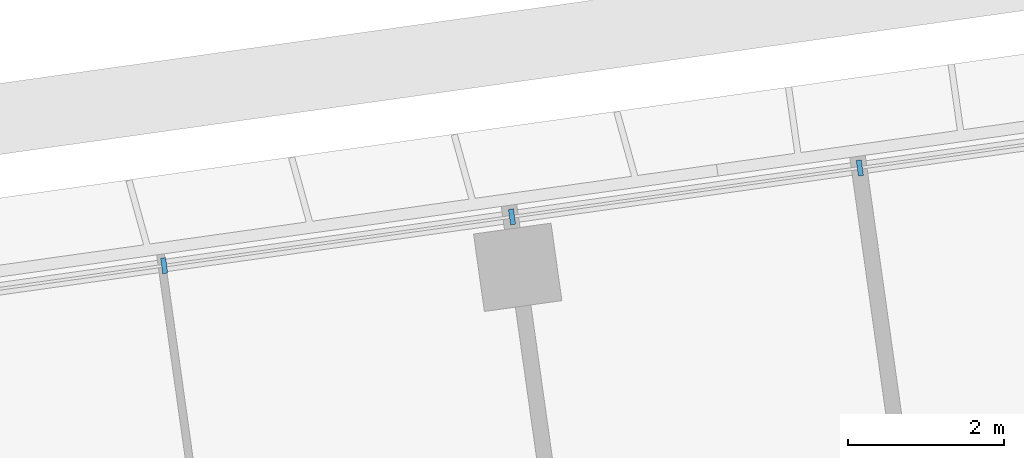
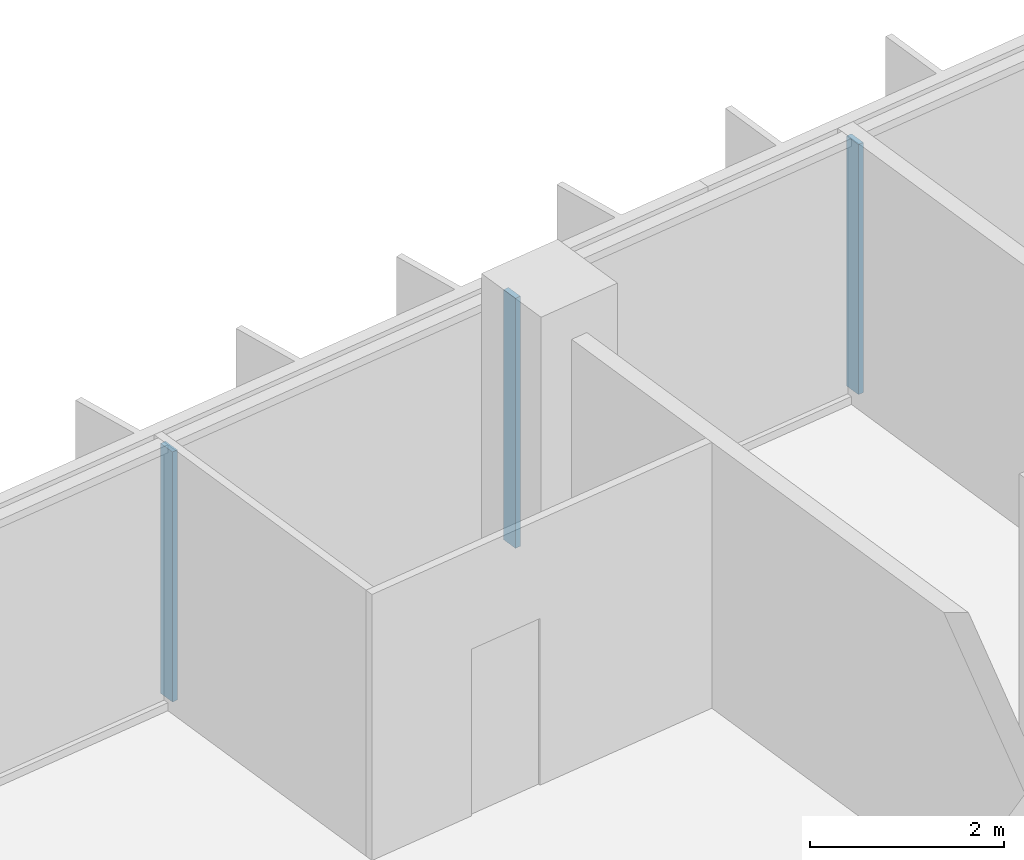
# One storey, part 27 of 49: 3 members, 1 element without a shape of its own.
"""IFC4 building model written with IfcOpenShell, lengths in metres."""

import ifcopenshell
import ifcopenshell.guid

model = None  # the IFC model being written
_history = None  # IfcOwnerHistory: only IFC2X3 demands one
_inside = {}  # id of a spatial element -> (the spatial element, [elements in it])
_under = {}  # id of a project, library or spatial element -> (it, [spatial elements below it])
_declared = {}  # id of a project -> (the project, [libraries it declares])
_typed = {}  # id of a type object -> (the type object, [elements of that type])
_made_of = {}  # id of a material, layer set ... -> (it, [elements and type objects made of it])


def new_model(schema):
    """Start an empty IFC model of exactly this schema.

    Asked for "IFC4X3", IfcOpenShell would pick the latest addendum, in which some entities
    have other attributes; the version numbers below select the first issue.
    IFC2X3 requires an IfcOwnerHistory on every rooted entity: one is made here for all.
    """
    global model, _history
    if schema == "IFC4X3":
        model = ifcopenshell.file(schema_version=(4, 3, 0, 0))
    else:
        model = ifcopenshell.file(schema=schema)
    _inside.clear()
    _under.clear()
    _declared.clear()
    _typed.clear()
    _made_of.clear()
    _history = None
    if model.schema == "IFC2X3":
        org = make("IfcOrganization", Name="unknown")
        user = make(
            "IfcPersonAndOrganization",
            ThePerson=make("IfcPerson", FamilyName="unknown"),
            TheOrganization=org,
        )
        app = make(
            "IfcApplication",
            ApplicationDeveloper=org,
            Version="unknown",
            ApplicationFullName="unknown",
            ApplicationIdentifier="unknown",
        )
        _history = make(
            "IfcOwnerHistory",
            OwningUser=user,
            OwningApplication=app,
            ChangeAction="ADDED",
            CreationDate=0,
        )
    return model


def make(cls, **values):
    """One entity of the class cls with the attributes given. An attribute that is None is left unset."""
    return model.create_entity(
        cls, **{name: value for name, value in values.items() if value is not None}
    )


def rooted(cls, **values):
    """An entity with a GlobalId (a new one), such as an element, a storey or a relation."""
    return make(cls, GlobalId=ifcopenshell.guid.new(), OwnerHistory=_history, **values)


def si_unit(unit_type, name, prefix=None):
    """IfcSIUnit, for example si_unit("LENGTHUNIT", "METRE", prefix="MILLI")."""
    return make("IfcSIUnit", UnitType=unit_type, Prefix=prefix, Name=name)


def assignment(units):
    """IfcUnitAssignment: the units of a project."""
    return None if units is None else make("IfcUnitAssignment", Units=units)


def point(xyz):
    """IfcCartesianPoint."""
    return None if xyz is None else make("IfcCartesianPoint", Coordinates=xyz)


def direction(xyz):
    """IfcDirection."""
    return None if xyz is None else make("IfcDirection", DirectionRatios=xyz)


def frame(location, z_axis=None, x_axis=None):
    """IfcAxis2Placement3D, a coordinate frame: its origin and axes. An axis left out is left unset."""
    return make(
        "IfcAxis2Placement3D",
        Location=point(location),
        Axis=direction(z_axis),
        RefDirection=direction(x_axis),
    )


def frame_2d(location, x_axis=None):
    """IfcAxis2Placement2D, a coordinate frame in the plane: its origin and x axis."""
    return make(
        "IfcAxis2Placement2D", Location=point(location), RefDirection=direction(x_axis)
    )


def origin():
    """The frame at (0, 0, 0) with its axes left unset."""
    return frame((0.0, 0.0, 0.0))


def origin_2d():
    """The frame at (0, 0) in the plane with its x axis left unset."""
    return frame_2d((0.0, 0.0))


def place(relative_to, where):
    """IfcLocalPlacement: puts the frame where relative to a parent placement (None: the world)."""
    return make(
        "IfcLocalPlacement", PlacementRelTo=relative_to, RelativePlacement=where
    )


def context(
    kind, dimensions, precision=None, world=None, true_north=None, identifier=None
):
    """IfcGeometricRepresentationContext, for example the 3D "Model" context."""
    return make(
        "IfcGeometricRepresentationContext",
        ContextIdentifier=identifier,
        ContextType=kind,
        CoordinateSpaceDimension=dimensions,
        Precision=precision,
        WorldCoordinateSystem=world,
        TrueNorth=true_north,
    )


def subcontext(parent, identifier, kind, view, scale=None):
    """IfcGeometricRepresentationSubContext, for example "Body" below "Model"."""
    return make(
        "IfcGeometricRepresentationSubContext",
        ContextIdentifier=identifier,
        ContextType=kind,
        ParentContext=parent,
        TargetScale=scale,
        TargetView=view,
    )


def project(units=None, contexts=None):
    """IfcProject with its units and contexts."""
    return rooted(
        "IfcProject",
        Name="project",
        RepresentationContexts=contexts,
        UnitsInContext=assignment(units),
    )


def spatial(cls, under=None, at=None, **own):
    """A site, building, storey or space (cls), placed at a placement, below another one or the project."""
    s = rooted(cls, ObjectPlacement=at, **own)
    if under is not None:
        _under.setdefault(under.id(), (under, []))[1].append(s)
    return s


def profile(cls, at=None, kind="AREA", **sizes):
    """A parametric profile (cls). Its sizes go by their IFC names, for example OverallWidth=200.0."""
    return make(cls, ProfileType=kind, Position=at, **sizes)


def rectangle(**sizes):
    """IfcRectangleProfileDef."""
    return profile("IfcRectangleProfileDef", **sizes)


def extrude(swept, where, along, depth):
    """IfcExtrudedAreaSolid: the profile swept, set in the frame where, extruded along a direction by depth."""
    return make(
        "IfcExtrudedAreaSolid",
        SweptArea=swept,
        Position=where,
        ExtrudedDirection=direction(along),
        Depth=depth,
    )


def shape(context_of_items, identifier, shape_type, items):
    """IfcShapeRepresentation: the items that make up one representation, for example the "Body"."""
    return make(
        "IfcShapeRepresentation",
        ContextOfItems=context_of_items,
        RepresentationIdentifier=identifier,
        RepresentationType=shape_type,
        Items=items,
    )


def material(Name=None, Category=None):
    """IfcMaterial."""
    return make("IfcMaterial", Name=Name, Category=Category)


def material_profile(
    of_material, cross_section, Name=None, Category=None, Priority=None
):
    """IfcMaterialProfile: a cross section and its material."""
    return make(
        "IfcMaterialProfile",
        Name=Name,
        Material=of_material,
        Profile=cross_section,
        Priority=Priority,
        Category=Category,
    )


def profile_set(profiles, Name=None, composite=None):
    """IfcMaterialProfileSet."""
    return make(
        "IfcMaterialProfileSet",
        Name=Name,
        MaterialProfiles=profiles,
        CompositeProfile=composite,
    )


def made_of(thing, what):
    """Note that an element or type object is made of a material, layer set ...; save() writes the relation."""
    if what is not None:
        _made_of.setdefault(what.id(), (what, []))[1].append(thing)
    return thing


def type_object(cls, material=None, **own):
    """A type object (cls), such as IfcWallType, which elements share."""
    return made_of(rooted(cls, **own), material)


def element(
    cls,
    number,
    at=None,
    inside=None,
    cuts=None,
    type_object=None,
    material=None,
    context=None,
    identifier="Body",
    shape_type=None,
    held_by="IfcProductDefinitionShape",
    body=None,
    shapes=None,
    **own,
):
    """One element of the class cls, such as IfcWall. Its Tag is "e" and its number.

    at: its placement. inside: the storey or other place that contains it. cuts: it is an
    opening in that element (IfcRelVoidsElement). A single representation is given by context,
    identifier, shape_type and body (its items); several are given by shapes. held_by: the class
    of the entity that holds the representations. save() writes the other relations.
    """
    e = rooted(cls, Tag="e%d" % number, ObjectPlacement=at, **own)
    if body is not None:
        shapes = [shape(context, identifier, shape_type, body)]
    if shapes is not None:
        e.Representation = make(held_by, Representations=shapes)
    if inside is not None:
        _inside.setdefault(inside.id(), (inside, []))[1].append(e)
    if cuts is not None:
        rooted(
            "IfcRelVoidsElement", RelatingBuildingElement=cuts, RelatedOpeningElement=e
        )
    if type_object is not None:
        _typed.setdefault(type_object.id(), (type_object, []))[1].append(e)
    return made_of(e, material)


def aggregate(whole, parts):
    """IfcRelAggregates: a whole, such as a stair, and the parts it consists of."""
    return rooted("IfcRelAggregates", RelatingObject=whole, RelatedObjects=parts)


def save(model, path):
    """Write the relations noted so far, then the file.

    IfcRelAggregates (storeys below a building ...), IfcRelContainedInSpatialStructure (elements
    in a storey), IfcRelDefinesByType, IfcRelAssociatesMaterial and IfcRelDeclares: one each for
    every whole, place, type object, material and project.
    """
    for whole, parts in _under.values():
        aggregate(whole, parts)
    for where, things in _inside.values():
        rooted(
            "IfcRelContainedInSpatialStructure",
            RelatedElements=things,
            RelatingStructure=where,
        )
    for kind, things in _typed.values():
        rooted("IfcRelDefinesByType", RelatedObjects=things, RelatingType=kind)
    for what, things in _made_of.values():
        rooted("IfcRelAssociatesMaterial", RelatedObjects=things, RelatingMaterial=what)
    for by, libraries in _declared.values():
        rooted("IfcRelDeclares", RelatingContext=by, RelatedDefinitions=libraries)
    model.write(path)


model = new_model("IFC4")

# Units and contexts
model_context = context("Model", 3, precision=1e-05, world=origin(), true_north=direction((0.0, 1.0)))
body_context = subcontext(model_context, "Body", "Model", "MODEL_VIEW")
ifc_project = project(units=[si_unit("LENGTHUNIT", "METRE"), si_unit("AREAUNIT", "SQUARE_METRE"), si_unit("VOLUMEUNIT", "CUBIC_METRE"), si_unit("PLANEANGLEUNIT", "RADIAN"), si_unit("MASSUNIT", "GRAM", prefix="KILO")], contexts=[model_context])

# Site, building, storey
site_placement = place(None, origin())
site = spatial("IfcSite", under=ifc_project, at=site_placement, CompositionType="ELEMENT")
building_placement = place(site_placement, origin())
building = spatial("IfcBuilding", under=site, at=building_placement, Name="Mirante Cascada Hotel Towers", CompositionType="ELEMENT")
storey_placement = place(building_placement, frame((0.0, 0.0, 66.1)))
storey = spatial("IfcBuildingStorey", under=building, at=storey_placement, Name="L13", CompositionType="ELEMENT", Elevation=66.1)

# Curtain wall, members
ifc_material_1 = material(Name="Aluminium mullion and transom frame with clear laminated glass", Category="aluminium")
curtain_wall_type = type_object("IfcCurtainWallType", Name="Ribbon curtain wall ECW1", PredefinedType="NOTDEFINED", material=ifc_material_1)
curtain_wall_placement = place(storey_placement, origin())
curtain_wall = element("IfcCurtainWall", 1, at=curtain_wall_placement, inside=storey, type_object=curtain_wall_type, Name="Front ribbon wall T2 L13", PredefinedType="NOTDEFINED")
ifc_material_2 = material(Name="Anodised aluminium extrusion", Category="aluminium")
ifc_material_profile = material_profile(ifc_material_2, rectangle(XDim=0.2, YDim=0.065, at=origin_2d()), Name="ECW1 MULLION 65x200")
ifc_profile_set = profile_set([ifc_material_profile], Name="Anodised aluminium extrusion")
member_type = type_object("IfcMemberType", Name="ECW1 mullion 65x200", PredefinedType="MULLION", material=ifc_profile_set)
member_1_placement = place(storey_placement, frame((58.5788, 21.0517, 0.1), z_axis=(0.0, 0.0, 1.0), x_axis=(0.1391731, -0.9902681, 0.0)))
member_1 = element("IfcMember", 2, at=member_1_placement, type_object=member_type, Name="ECW1 mullion 9", PredefinedType="MULLION", context=body_context, shape_type="SweptSolid", body=[
    extrude(rectangle(XDim=0.2, YDim=0.065, at=origin_2d()), origin(), (0.0, 0.0, 1.0), 3.15),
])
member_2_placement = place(storey_placement, frame((54.1314, 20.4267, 0.1), z_axis=(0.0, 0.0, 1.0), x_axis=(0.1391731, -0.9902681, 0.0)))
member_2 = element("IfcMember", 3, at=member_2_placement, type_object=member_type, Name="ECW1 mullion 10", PredefinedType="MULLION", context=body_context, shape_type="SweptSolid", body=[
    extrude(rectangle(XDim=0.2, YDim=0.065, at=origin_2d()), origin(), (0.0, 0.0, 1.0), 3.15),
])
member_3_placement = place(storey_placement, frame((49.684, 19.8017, 0.1), z_axis=(0.0, 0.0, 1.0), x_axis=(0.1391731, -0.9902681, 0.0)))
member_3 = element("IfcMember", 4, at=member_3_placement, type_object=member_type, Name="ECW1 mullion 11", PredefinedType="MULLION", context=body_context, shape_type="SweptSolid", body=[
    extrude(rectangle(XDim=0.2, YDim=0.065, at=origin_2d()), origin(), (0.0, 0.0, 1.0), 3.15),
])
aggregate(curtain_wall, [member_1, member_2, member_3])

save(model, "model.ifc")
